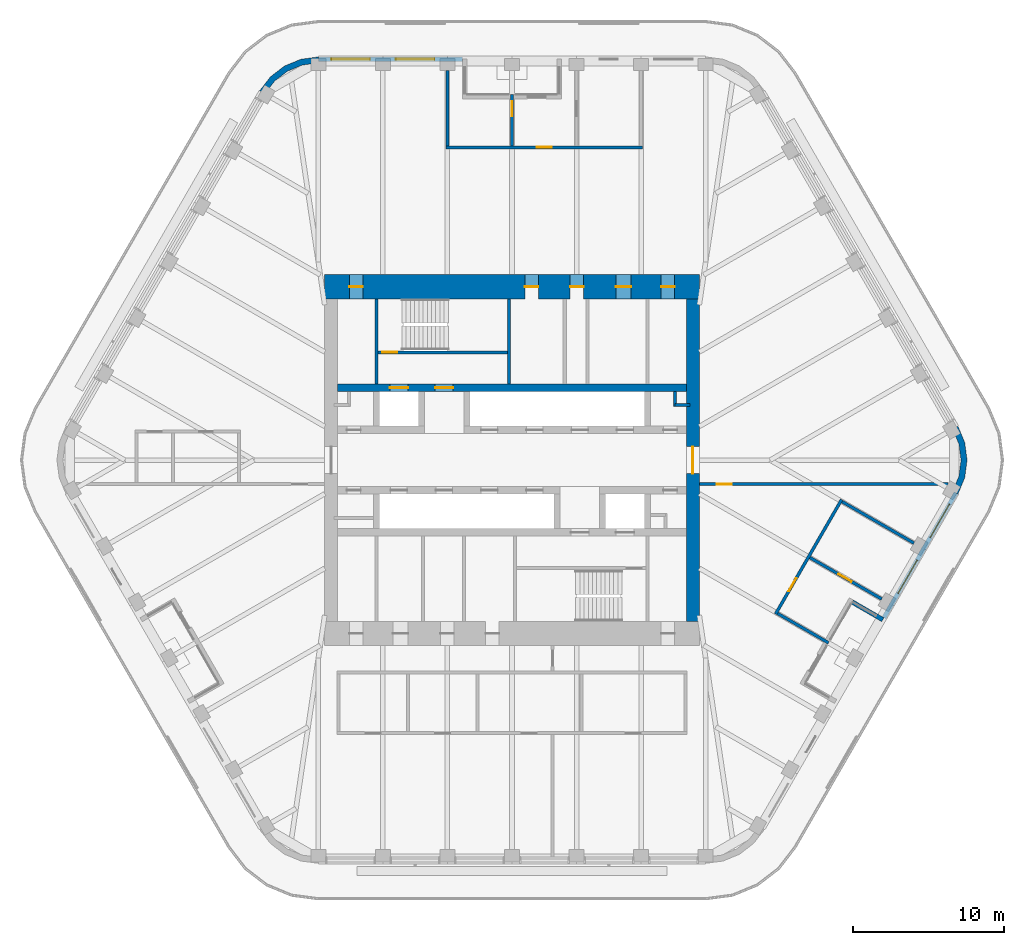
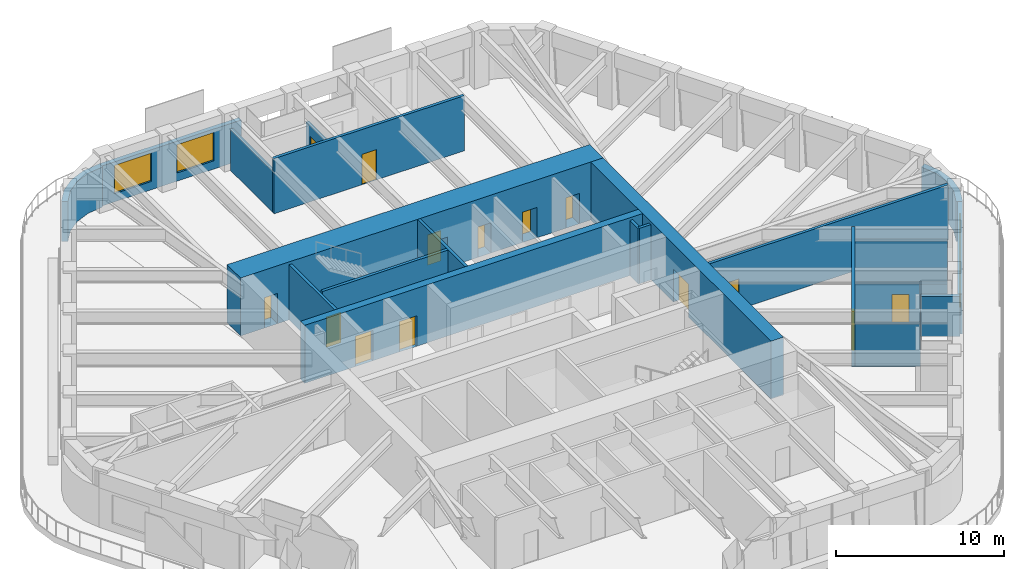
# One storey, part 15 of 19: 21 walls, 14 doors, 4 windows, 18 openings.
"""IFC4 building model written with IfcOpenShell, lengths in metres."""

from ifc_helpers import new_model, si_unit, direction, frame, frame_2d, origin, place, context, subcontext, project, spatial, polyline, rectangle, outline, extrude, material, layer, layer_set, type_object, element, fill, save


model = new_model("IFC4")

# Units and contexts
model_context = context("Model", 3, precision=1e-05, world=origin(), true_north=direction((0.0, 1.0)))
body_context = subcontext(model_context, "Body", "Model", "MODEL_VIEW")
ifc_project = project(units=[si_unit("LENGTHUNIT", "METRE"), si_unit("AREAUNIT", "SQUARE_METRE"), si_unit("VOLUMEUNIT", "CUBIC_METRE"), si_unit("PLANEANGLEUNIT", "RADIAN"), si_unit("MASSUNIT", "GRAM", prefix="KILO")], contexts=[model_context])

# Site, building, storey
site_placement = place(None, origin())
site = spatial("IfcSite", under=ifc_project, at=site_placement, CompositionType="ELEMENT")
building_placement = place(site_placement, origin())
building = spatial("IfcBuilding", under=site, at=building_placement, Name="Tarfa Lantern Tower", CompositionType="ELEMENT")
storey_placement = place(building_placement, frame((0.0, 0.0, 336.699951171875)))
storey = spatial("IfcBuildingStorey", under=building, at=storey_placement, Name="L76", CompositionType="ELEMENT", Elevation=336.699951171875)

# Wall, openings, windows
ifc_material_1 = material(Name="Limestone cladding on blockwork", Category="masonry")
ifc_layer_1 = layer(ifc_material_1, 0.300048828125)
ifc_layer_set_1 = layer_set([ifc_layer_1], Name="EW1 STONE-CLAD WALL 300")
wall_type_1 = type_object("IfcWallType", Name="EW1 STONE-CLAD WALL 300", PredefinedType="SOLIDWALL", material=ifc_layer_set_1)
wall_1_placement = place(storey_placement, frame((-3.281982421875, 26.60009765625, 0.0), z_axis=(0.0, 0.0, 1.0), x_axis=(-1.0, 0.0, 0.0)))
wall_1 = element("IfcWall", 1, at=wall_1_placement, inside=storey, type_object=wall_type_1, Name="Stone wall NB", PredefinedType="SOLIDWALL", context=body_context, shape_type="SweptSolid", body=[
    extrude(rectangle(XDim=9.56396484375, YDim=0.300048828125, at=frame_2d((4.781982421875, 0.0))), origin(), (0.0, 0.0, 1.0), 2.900146484375),
])
opening_1_placement = place(wall_1_placement, frame((1.865966796875, 0.0, 0.60009765625)))
opening_1 = element("IfcOpeningElement", 2, at=opening_1_placement, cuts=wall_1, Name="Opening W17", PredefinedType="OPENING", context=body_context, shape_type="SweptSolid", body=[
    extrude(rectangle(XDim=2.550048828125, YDim=2.050048828125, at=frame_2d((1.27490234375, 1.02490234375))), frame((0.0, 0.159912109375, 0.0), z_axis=(0.0, -1.0, 0.0), x_axis=(1.0, 0.0, 0.0)), (0.0, 0.0, 1.0), 0.320068359375),
])
opening_2_placement = place(wall_1_placement, frame((6.14794921875, 0.0, 0.60009765625)))
opening_2 = element("IfcOpeningElement", 3, at=opening_2_placement, cuts=wall_1, Name="Opening W17", PredefinedType="OPENING", context=body_context, shape_type="SweptSolid", body=[
    extrude(rectangle(XDim=2.550048828125, YDim=2.050048828125, at=frame_2d((1.27490234375, 1.02490234375))), frame((0.0, 0.159912109375, 0.0), z_axis=(0.0, -1.0, 0.0), x_axis=(1.0, 0.0, 0.0)), (0.0, 0.0, 1.0), 0.320068359375),
])
ifc_material_2 = material(Name="Aluminium frame, double glazed", Category="aluminium")
window_type = type_object("IfcWindowType", Name="W17 FULL-HEIGHT GLAZING 2550x2050", PartitioningType="SINGLE_PANEL", PredefinedType="WINDOW", material=ifc_material_2)
window_1_placement = place(opening_1_placement, origin())
window_1 = element("IfcWindow", 4, at=window_1_placement, inside=storey, type_object=window_type, Name="Window NB 1", OverallHeight=2.050048828125, OverallWidth=2.550048828125, PartitioningType="SINGLE_PANEL", PredefinedType="WINDOW", context=body_context, shape_type="SweptSolid", body=[
    extrude(rectangle(XDim=2.550048828125, YDim=2.050048828125, at=frame_2d((1.27490234375, 1.02490234375))), frame((0.0, 0.030029296875, 0.0), z_axis=(0.0, -1.0, 0.0), x_axis=(1.0, 0.0, 0.0)), (0.0, 0.0, 1.0), 0.06005859375),
])
fill(opening_1, window_1)
window_2_placement = place(opening_2_placement, origin())
window_2 = element("IfcWindow", 5, at=window_2_placement, inside=storey, type_object=window_type, Name="Window NB 2", OverallHeight=2.050048828125, OverallWidth=2.550048828125, PartitioningType="SINGLE_PANEL", PredefinedType="WINDOW", context=body_context, shape_type="SweptSolid", body=[
    extrude(rectangle(XDim=2.550048828125, YDim=2.050048828125, at=frame_2d((1.27490234375, 1.02490234375))), frame((0.0, 0.030029296875, 0.0), z_axis=(0.0, -1.0, 0.0), x_axis=(1.0, 0.0, 0.0)), (0.0, 0.0, 1.0), 0.06005859375),
])
fill(opening_2, window_2)

wall_2_placement = place(storey_placement, frame((24.67724609375, -10.457763671875, 0.0), z_axis=(0.0, 0.0, 1.0), x_axis=(0.499996453679, 0.866027451244, 0.0)))
wall_2 = element("IfcWall", 6, at=wall_2_placement, inside=storey, type_object=wall_type_1, Name="Stone wall SEB", PredefinedType="SOLIDWALL", context=body_context, shape_type="SweptSolid", body=[
    extrude(rectangle(XDim=9.56396484375, YDim=0.300048828125, at=frame_2d((4.781982421875, 0.0))), origin(), (0.0, 0.0, 1.0), 2.900146484375),
])
opening_3_placement = place(wall_2_placement, frame((1.865966796875, 0.0, 0.60009765625)))
opening_3 = element("IfcOpeningElement", 7, at=opening_3_placement, cuts=wall_2, Name="Opening W17", PredefinedType="OPENING", context=body_context, shape_type="SweptSolid", body=[
    extrude(rectangle(XDim=2.550048828125, YDim=2.050048828125, at=frame_2d((1.27490234375, 1.02490234375))), frame((0.0, 0.159912109375, 0.0), z_axis=(0.0, -1.0, 0.0), x_axis=(1.0, 0.0, 0.0)), (0.0, 0.0, 1.0), 0.320068359375),
])
opening_4_placement = place(wall_2_placement, frame((6.14794921875, 0.0, 0.60009765625)))
opening_4 = element("IfcOpeningElement", 8, at=opening_4_placement, cuts=wall_2, Name="Opening W17", PredefinedType="OPENING", context=body_context, shape_type="SweptSolid", body=[
    extrude(rectangle(XDim=2.550048828125, YDim=2.050048828125, at=frame_2d((1.27490234375, 1.02490234375))), frame((0.0, 0.159912109375, 0.0), z_axis=(0.0, -1.0, 0.0), x_axis=(1.0, 0.0, 0.0)), (0.0, 0.0, 1.0), 0.320068359375),
])
window_3_placement = place(opening_3_placement, origin())
window_3 = element("IfcWindow", 9, at=window_3_placement, inside=storey, type_object=window_type, Name="Window SEB 1", OverallHeight=2.050048828125, OverallWidth=2.550048828125, PartitioningType="SINGLE_PANEL", PredefinedType="WINDOW", context=body_context, shape_type="SweptSolid", body=[
    extrude(rectangle(XDim=2.550048828125, YDim=2.050048828125, at=frame_2d((1.27490234375, 1.02490234375))), frame((0.0, 0.030029296875, 0.0), z_axis=(0.0, -1.0, 0.0), x_axis=(1.0, 0.0, 0.0)), (0.0, 0.0, 1.0), 0.06005859375),
])
fill(opening_3, window_3)
window_4_placement = place(opening_4_placement, origin())
window_4 = element("IfcWindow", 10, at=window_4_placement, inside=storey, type_object=window_type, Name="Window SEB 2", OverallHeight=2.050048828125, OverallWidth=2.550048828125, PartitioningType="SINGLE_PANEL", PredefinedType="WINDOW", context=body_context, shape_type="SweptSolid", body=[
    extrude(rectangle(XDim=2.550048828125, YDim=2.050048828125, at=frame_2d((1.27490234375, 1.02490234375))), frame((0.0, 0.030029296875, 0.0), z_axis=(0.0, -1.0, 0.0), x_axis=(1.0, 0.0, 0.0)), (0.0, 0.0, 1.0), 0.06005859375),
])
fill(opening_4, window_4)

# Walls
wall_3_placement = place(storey_placement, frame((24.602294921875, -10.587646484375, 0.0), z_axis=(0.0, 0.0, 1.0), x_axis=(-0.866016039709, 0.500016218704, 0.0)))
element("IfcWall", 11, at=wall_3_placement, inside=storey, type_object=wall_type_1, Name="Terrace return SE 2", PredefinedType="SOLIDWALL", context=body_context, shape_type="SweptSolid", body=[
    extrude(rectangle(XDim=2.35009765625, YDim=0.300048828125, at=frame_2d((1.175048828125, 0.0))), origin(), (0.0, 0.0, 1.0), 2.900146484375),
])
ifc_layer_2 = layer(ifc_material_1, 0.39990234375)
ifc_layer_set_2 = layer_set([ifc_layer_2], Name="EW2 CURVED STONE CORNER 400")
wall_type_2 = type_object("IfcWallType", Name="EW2 CURVED STONE CORNER 400", PredefinedType="SOLIDWALL", material=ifc_layer_set_2)
wall_4_placement = place(storey_placement, origin())
element("IfcWall", 12, at=wall_4_placement, inside=storey, type_object=wall_type_2, Name="Stone corner N-NW", PredefinedType="SOLIDWALL", context=body_context, shape_type="SweptSolid", body=[
    extrude(outline(polyline([(-12.845947265625, 26.75), (-14.0107421875, 26.5966796875), (-15.095947265625, 26.147216796875), (-16.028076171875, 25.431884765625), (-16.7431640625, 24.5), (-16.396728515625, 24.300048828125), (-15.7451171875, 25.149169921875), (-14.89599609375, 25.80078125), (-13.9072265625, 26.210205078125), (-12.845947265625, 26.35009765625), (-12.845947265625, 26.75)])), origin(), (0.0, 0.0, 1.0), 2.900146484375),
])
wall_5_placement = place(storey_placement, origin())
element("IfcWall", 13, at=wall_5_placement, inside=storey, type_object=wall_type_2, Name="Stone corner SE-NE", PredefinedType="SOLIDWALL", context=body_context, shape_type="SweptSolid", body=[
    extrude(outline(polyline([(29.589111328125, -2.25), (30.038818359375, -1.164794921875), (30.192138671875, 0.0), (30.038818359375, 1.164794921875), (29.589111328125, 2.25), (29.24267578125, 2.050048828125), (29.65234375, 1.061279296875), (29.7919921875, 0.0), (29.65234375, -1.061279296875), (29.24267578125, -2.050048828125), (29.589111328125, -2.25)])), origin(), (0.0, 0.0, 1.0), 2.900146484375),
])
ifc_material_3 = material(Name="Concrete blockwork", Category="masonry")
ifc_layer_3 = layer(ifc_material_3, 0.199951171875)
ifc_layer_set_3 = layer_set([ifc_layer_3], Name="IW1 BLOCKWORK PARTITION 200 EI 120")
wall_type_3 = type_object("IfcWallType", Name="IW1 BLOCKWORK PARTITION 200 EI 120", PredefinedType="PARTITIONING", material=ifc_layer_set_3)
wall_6_placement = place(storey_placement, frame((-9.0, 5.050048828125, 0.0), z_axis=(0.0, 0.0, 1.0), x_axis=(0.0, 1.0, 0.0)))
element("IfcWall", 14, at=wall_6_placement, inside=storey, type_object=wall_type_3, Name="Core partition", PredefinedType="PARTITIONING", context=body_context, shape_type="SweptSolid", body=[
    extrude(rectangle(XDim=5.64990234375, YDim=0.199951171875, at=frame_2d((2.824951171875, 0.0))), origin(), (0.0, 0.0, 1.0), 4.0),
])
for number, where, z_axis, x_axis, name in (
    (15, (10.800048828125, 3.64990234375, 0.0), (0.0, 0.0, 1.0), (1.0, 0.0, 0.0), "Core partition"),
    (16, (10.800048828125, 3.550048828125, 0.0), (0.0, 0.0, 1.0), (0.0, 1.0, 0.0), "Core partition"),
):
    element("IfcWall", number, at=place(storey_placement, frame(where, z_axis=z_axis, x_axis=x_axis)), inside=storey, type_object=wall_type_3, Name=name, PredefinedType="PARTITIONING", context=body_context, shape_type="SweptSolid", body=[
        extrude(rectangle(XDim=1.0, YDim=0.199951171875, at=frame_2d((0.5, 0.0))), origin(), (0.0, 0.0, 1.0), 4.0),
    ])

# Wall, opening, door
ifc_material_4 = material(Name="Gypsum board on steel studs", Category="steel")
ifc_layer_4 = layer(ifc_material_4, 0.2099609375)
ifc_layer_set_4 = layer_set([ifc_layer_4], Name="IW2 ACOUSTIC PARTITION 200")
wall_type_4 = type_object("IfcWallType", Name="IW2 ACOUSTIC PARTITION 200", PredefinedType="PARTITIONING", material=ifc_layer_set_4)
wall_7_placement = place(storey_placement, frame((8.6640625, 20.75, 0.0), z_axis=(0.0, 0.0, 1.0), x_axis=(-1.0, 0.0, 0.0)))
wall_7 = element("IfcWall", 17, at=wall_7_placement, inside=storey, type_object=wall_type_4, Name="Partition", PredefinedType="PARTITIONING", context=body_context, shape_type="SweptSolid", body=[
    extrude(rectangle(XDim=13.046142578125, YDim=0.199951171875, at=frame_2d((6.52294921875, 0.0))), origin(), (0.0, 0.0, 1.0), 4.0),
])
opening_5_placement = place(wall_7_placement, frame((6.02294921875, 0.0, 0.0)))
opening_5 = element("IfcOpeningElement", 18, at=opening_5_placement, cuts=wall_7, Name="Opening D22", PredefinedType="OPENING", context=body_context, shape_type="SweptSolid", body=[
    extrude(rectangle(XDim=1.0, YDim=2.199951171875, at=frame_2d((0.5, 1.10009765625))), frame((0.0, 0.10986328125, 0.0), z_axis=(0.0, -1.0, 0.0), x_axis=(1.0, 0.0, 0.0)), (0.0, 0.0, 1.0), 0.219970703125),
])
ifc_material_5 = material(Name="Timber door", Category="wood")
door_type_1 = type_object("IfcDoorType", Name="DR1 ROOM DOOR 1000x2200", OperationType="SINGLE_SWING_LEFT", PredefinedType="DOOR", material=ifc_material_5)
door_1_placement = place(opening_5_placement, frame((1.0, 0.0, 0.0), z_axis=(0.0, 0.0, 1.0), x_axis=(-1.0, 0.0, 0.0)))
door_1 = element("IfcDoor", 19, at=door_1_placement, inside=storey, type_object=door_type_1, Name="PA area door", OperationType="SINGLE_SWING_RIGHT", OverallHeight=2.199951171875, OverallWidth=1.0, PredefinedType="DOOR", context=body_context, shape_type="SweptSolid", body=[
    extrude(rectangle(XDim=1.0, YDim=2.199951171875, at=frame_2d((0.5, 1.10009765625))), frame((0.0, 0.02490234375, 0.0), z_axis=(0.0, -1.0, 0.0), x_axis=(1.0, 0.0, 0.0)), (0.0, 0.0, 1.0), 0.050048828125),
])
fill(opening_5, door_1)

wall_8_placement = place(storey_placement, frame((0.0, 20.85009765625, 0.0), z_axis=(0.0, 0.0, 1.0), x_axis=(0.0, 1.0, 0.0)))
wall_8 = element("IfcWall", 20, at=wall_8_placement, inside=storey, type_object=wall_type_4, Name="Partition", PredefinedType="PARTITIONING", context=body_context, shape_type="SweptSolid", body=[
    extrude(rectangle(XDim=3.40087890625, YDim=0.199951171875, at=frame_2d((1.700439453125, 0.0))), origin(), (0.0, 0.0, 1.0), 2.991943359375),
])
opening_6_placement = place(wall_8_placement, frame((1.949951171875, 0.0, 0.0)))
opening_6 = element("IfcOpeningElement", 21, at=opening_6_placement, cuts=wall_8, Name="Opening D23", PredefinedType="OPENING", context=body_context, shape_type="SweptSolid", body=[
    extrude(rectangle(XDim=1.0, YDim=2.199951171875, at=frame_2d((0.5, 1.10009765625))), frame((0.0, 0.10986328125, 0.0), z_axis=(0.0, -1.0, 0.0), x_axis=(1.0, 0.0, 0.0)), (0.0, 0.0, 1.0), 0.219970703125),
])
door_2_placement = place(opening_6_placement, origin())
door_2 = element("IfcDoor", 22, at=door_2_placement, inside=storey, type_object=door_type_1, Name="File room door", OperationType="SINGLE_SWING_LEFT", OverallHeight=2.199951171875, OverallWidth=1.0, PredefinedType="DOOR", context=body_context, shape_type="SweptSolid", body=[
    extrude(rectangle(XDim=1.0, YDim=2.199951171875, at=frame_2d((0.5, 1.10009765625))), frame((0.0, 0.02490234375, 0.0), z_axis=(0.0, -1.0, 0.0), x_axis=(1.0, 0.0, 0.0)), (0.0, 0.0, 1.0), 0.050048828125),
])
fill(opening_6, door_2)

# Wall
wall_9_placement = place(storey_placement, frame((-4.281982421875, 20.85009765625, 0.0), z_axis=(0.0, 0.0, 1.0), x_axis=(0.0, 1.0, 0.0)))
element("IfcWall", 23, at=wall_9_placement, inside=storey, type_object=wall_type_4, Name="Partition", PredefinedType="PARTITIONING", context=body_context, shape_type="SweptSolid", body=[
    extrude(rectangle(XDim=5.0, YDim=0.199951171875, at=frame_2d((2.5, 0.0))), origin(), (0.0, 0.0, 1.0), 2.991943359375),
])

# Wall, opening, door
wall_10_placement = place(storey_placement, frame((17.487060546875, -10.211669921875, 0.0), z_axis=(0.0, 0.0, 1.0), x_axis=(0.500006995557, 0.86602136486, 0.0)))
wall_10 = element("IfcWall", 24, at=wall_10_placement, inside=storey, type_object=wall_type_4, Name="Partition", PredefinedType="PARTITIONING", context=body_context, shape_type="SweptSolid", body=[
    extrude(rectangle(XDim=8.763916015625, YDim=0.199951171875, at=frame_2d((4.3818359375, 0.0))), origin(), (0.0, 0.0, 1.0), 4.0),
])
opening_7_placement = place(wall_10_placement, frame((1.740966796875, 0.0, 0.0)))
opening_7 = element("IfcOpeningElement", 25, at=opening_7_placement, cuts=wall_10, Name="Opening D24", PredefinedType="OPENING", context=body_context, shape_type="SweptSolid", body=[
    extrude(rectangle(XDim=1.0, YDim=2.199951171875, at=frame_2d((0.5, 1.10009765625))), frame((0.0, 0.10986328125, 0.0), z_axis=(0.0, -1.0, 0.0), x_axis=(1.0, 0.0, 0.0)), (0.0, 0.0, 1.0), 0.219970703125),
])
door_3_placement = place(opening_7_placement, frame((1.0, 0.0, 0.0), z_axis=(0.0, 0.0, 1.0), x_axis=(-1.0, 0.0, 0.0)))
door_3 = element("IfcDoor", 26, at=door_3_placement, inside=storey, type_object=door_type_1, Name="PA area door", OperationType="SINGLE_SWING_LEFT", OverallHeight=2.199951171875, OverallWidth=1.0, PredefinedType="DOOR", context=body_context, shape_type="SweptSolid", body=[
    extrude(rectangle(XDim=1.0, YDim=2.199951171875, at=frame_2d((0.5, 1.10009765625))), frame((0.0, 0.02490234375, 0.0), z_axis=(0.0, -1.0, 0.0), x_axis=(1.0, 0.0, 0.0)), (0.0, 0.0, 1.0), 0.050048828125),
])
fill(opening_7, door_3)

# Wall
wall_11_placement = place(storey_placement, frame((17.62353515625, -10.175048828125, 0.0), z_axis=(0.0, 0.0, 1.0), x_axis=(0.86603551244, -0.499982490886, 0.0)))
element("IfcWall", 27, at=wall_11_placement, inside=storey, type_object=wall_type_4, Name="Partition", PredefinedType="PARTITIONING", context=body_context, shape_type="SweptSolid", body=[
    extrude(rectangle(XDim=3.901123046875, YDim=0.199951171875, at=frame_2d((1.95068359375, 0.0))), origin(), (0.0, 0.0, 1.0), 3.08154296875),
])

# Wall, opening, door
wall_12_placement = place(storey_placement, frame((19.7646484375, -6.466552734375, 0.0), z_axis=(0.0, 0.0, 1.0), x_axis=(0.866027397988, -0.499996545922, 0.0)))
wall_12 = element("IfcWall", 28, at=wall_12_placement, inside=storey, type_object=wall_type_4, Name="Partition", PredefinedType="PARTITIONING", context=body_context, shape_type="SweptSolid", body=[
    extrude(rectangle(XDim=5.5, YDim=0.199951171875, at=frame_2d((2.75, 0.0))), origin(), (0.0, 0.0, 1.0), 2.991943359375),
])
opening_8_placement = place(wall_12_placement, frame((2.199951171875, 0.0, 0.0)))
opening_8 = element("IfcOpeningElement", 29, at=opening_8_placement, cuts=wall_12, Name="Opening D25", PredefinedType="OPENING", context=body_context, shape_type="SweptSolid", body=[
    extrude(rectangle(XDim=1.0, YDim=2.199951171875, at=frame_2d((0.5, 1.10009765625))), frame((0.0, 0.10986328125, 0.0), z_axis=(0.0, -1.0, 0.0), x_axis=(1.0, 0.0, 0.0)), (0.0, 0.0, 1.0), 0.219970703125),
])
door_4_placement = place(opening_8_placement, frame((1.0, 0.0, 0.0), z_axis=(0.0, 0.0, 1.0), x_axis=(-1.0, 0.0, 0.0)))
door_4 = element("IfcDoor", 30, at=door_4_placement, inside=storey, type_object=door_type_1, Name="Executive office door", OperationType="SINGLE_SWING_LEFT", OverallHeight=2.199951171875, OverallWidth=1.0, PredefinedType="DOOR", context=body_context, shape_type="SweptSolid", body=[
    extrude(rectangle(XDim=1.0, YDim=2.199951171875, at=frame_2d((0.5, 1.10009765625))), frame((0.0, 0.02490234375, 0.0), z_axis=(0.0, -1.0, 0.0), x_axis=(1.0, 0.0, 0.0)), (0.0, 0.0, 1.0), 0.050048828125),
])
fill(opening_8, door_4)

# Wall
wall_13_placement = place(storey_placement, frame((21.905517578125, -2.75830078125, 0.0), z_axis=(0.0, 0.0, 1.0), x_axis=(0.866027397988, -0.499996545922, 0.0)))
element("IfcWall", 31, at=wall_13_placement, inside=storey, type_object=wall_type_4, Name="Partition", PredefinedType="PARTITIONING", context=body_context, shape_type="SweptSolid", body=[
    extrude(rectangle(XDim=5.5, YDim=0.199951171875, at=frame_2d((2.75, 0.0))), origin(), (0.0, 0.0, 1.0), 3.08154296875),
])

# Wall, opening, door
wall_14_placement = place(storey_placement, frame((12.425048828125, -1.60009765625, 0.0), z_axis=(0.0, 0.0, 1.0), x_axis=(1.0, 0.0, 0.0)))
wall_14 = element("IfcWall", 32, at=wall_14_placement, inside=storey, type_object=wall_type_4, Name="Partition", PredefinedType="PARTITIONING", context=body_context, shape_type="SweptSolid", body=[
    extrude(rectangle(XDim=16.500244140625, YDim=0.199951171875, at=frame_2d((8.25, 0.0))), origin(), (0.0, 0.0, 1.0), 4.0),
])
opening_9_placement = place(wall_14_placement, frame((1.150146484375, 0.0, 0.0)))
opening_9 = element("IfcOpeningElement", 33, at=opening_9_placement, cuts=wall_14, Name="Opening D32", PredefinedType="OPENING", context=body_context, shape_type="SweptSolid", body=[
    extrude(rectangle(XDim=1.0, YDim=2.199951171875, at=frame_2d((0.5, 1.10009765625))), frame((0.0, 0.10986328125, 0.0), z_axis=(0.0, -1.0, 0.0), x_axis=(1.0, 0.0, 0.0)), (0.0, 0.0, 1.0), 0.219970703125),
])
door_5_placement = place(opening_9_placement, frame((1.0, 0.0, 0.0), z_axis=(0.0, 0.0, 1.0), x_axis=(-1.0, 0.0, 0.0)))
door_5 = element("IfcDoor", 34, at=door_5_placement, inside=storey, type_object=door_type_1, Name="Zone door", OperationType="SINGLE_SWING_LEFT", OverallHeight=2.199951171875, OverallWidth=1.0, PredefinedType="DOOR", context=body_context, shape_type="SweptSolid", body=[
    extrude(rectangle(XDim=1.0, YDim=2.199951171875, at=frame_2d((0.5, 1.10009765625))), frame((0.0, 0.02490234375, 0.0), z_axis=(0.0, -1.0, 0.0), x_axis=(1.0, 0.0, 0.0)), (0.0, 0.0, 1.0), 0.050048828125),
])
fill(opening_9, door_5)

# Wall
ifc_material_6 = material(Name="Concrete C80/95", Category="concrete")
ifc_layer_5 = layer(ifc_material_6, 0.199951171875)
ifc_layer_set_5 = layer_set([ifc_layer_5], Name="SW12 CORE WALL 200")
wall_type_5 = type_object("IfcWallType", Name="SW12 CORE WALL 200", PredefinedType="SHEAR", material=ifc_layer_set_5)
wall_15_placement = place(storey_placement, frame((-0.199951171875, 5.050048828125, 0.0), z_axis=(0.0, 0.0, 1.0), x_axis=(0.0, 1.0, 0.0)))
element("IfcWall", 35, at=wall_15_placement, inside=storey, type_object=wall_type_5, Name="Core wall stair shaft N", PredefinedType="SHEAR", context=body_context, shape_type="SweptSolid", body=[
    extrude(rectangle(XDim=5.64990234375, YDim=0.199951171875, at=frame_2d((2.824951171875, 0.0))), origin(), (0.0, 0.0, 1.0), 4.199951171875),
])

# Wall, opening, door
wall_16_placement = place(storey_placement, frame((-8.89990234375, 7.14990234375, 0.0), z_axis=(0.0, 0.0, 1.0), x_axis=(1.0, 0.0, 0.0)))
wall_16 = element("IfcWall", 36, at=wall_16_placement, inside=storey, type_object=wall_type_5, Name="Core wall stair partition N", PredefinedType="SHEAR", context=body_context, shape_type="SweptSolid", body=[
    extrude(rectangle(XDim=8.599853515625, YDim=0.199951171875, at=frame_2d((4.2998046875, 0.0))), origin(), (0.0, 0.0, 1.0), 4.199951171875),
])
opening_10_placement = place(wall_16_placement, frame((0.300048828125, 0.0, 0.0)))
opening_10 = element("IfcOpeningElement", 37, at=opening_10_placement, cuts=wall_16, Name="Opening D19", PredefinedType="OPENING", context=body_context, shape_type="SweptSolid", body=[
    extrude(rectangle(XDim=1.0, YDim=2.199951171875, at=frame_2d((0.5, 1.10009765625))), frame((0.0, 0.10986328125, 0.0), z_axis=(0.0, -1.0, 0.0), x_axis=(1.0, 0.0, 0.0)), (0.0, 0.0, 1.0), 0.219970703125),
])
ifc_material_7 = material(Name="Steel fire door", Category="steel")
door_type_2 = type_object("IfcDoorType", Name="DF2 STAIR DOOR 1000x2200", OperationType="SINGLE_SWING_LEFT", PredefinedType="DOOR", material=ifc_material_7)
door_6_placement = place(opening_10_placement, origin())
door_6 = element("IfcDoor", 38, at=door_6_placement, inside=storey, type_object=door_type_2, Name="Stair door", OperationType="SINGLE_SWING_RIGHT", OverallHeight=2.199951171875, OverallWidth=1.0, PredefinedType="DOOR", context=body_context, shape_type="SweptSolid", body=[
    extrude(rectangle(XDim=1.0, YDim=2.199951171875, at=frame_2d((0.5, 1.10009765625))), frame((0.0, 0.02490234375, 0.0), z_axis=(0.0, -1.0, 0.0), x_axis=(1.0, 0.0, 0.0)), (0.0, 0.0, 1.0), 0.050048828125),
])
fill(opening_10, door_6)

ifc_layer_6 = layer(ifc_material_6, 0.85009765625)
ifc_layer_set_6 = layer_set([ifc_layer_6], Name="SW3 CORE WALL 850")
wall_type_6 = type_object("IfcWallType", Name="SW3 CORE WALL 850", PredefinedType="SHEAR", material=ifc_layer_set_6)
wall_17_placement = place(storey_placement, frame((12.0, -10.699951171875, 0.0), z_axis=(0.0, 0.0, 1.0), x_axis=(0.0, 1.0, 0.0)))
wall_17 = element("IfcWall", 39, at=wall_17_placement, inside=storey, type_object=wall_type_6, Name="Core wall E", PredefinedType="SHEAR", context=body_context, shape_type="SweptSolid", body=[
    extrude(rectangle(XDim=21.39990234375, YDim=0.85009765625, at=frame_2d((10.699951171875, 0.0))), origin(), (0.0, 0.0, 1.0), 4.199951171875),
])
opening_11_placement = place(wall_17_placement, frame((9.800048828125, 0.0, 0.0)))
opening_11 = element("IfcOpeningElement", 40, at=opening_11_placement, cuts=wall_17, Name="Opening D07", PredefinedType="OPENING", context=body_context, shape_type="SweptSolid", body=[
    extrude(rectangle(XDim=1.800048828125, YDim=2.39990234375, at=frame_2d((0.89990234375, 1.199951171875))), frame((0.0, 0.43505859375, 0.0), z_axis=(0.0, -1.0, 0.0), x_axis=(1.0, 0.0, 0.0)), (0.0, 0.0, 1.0), 0.8701171875),
])
door_type_3 = type_object("IfcDoorType", Name="DL1 LOBBY DOOR 1800x2400", OperationType="DOUBLE_DOOR_SINGLE_SWING", PredefinedType="DOOR", material=ifc_material_7)
door_7_placement = place(opening_11_placement, frame((1.800048828125, 0.0, 0.0), z_axis=(0.0, 0.0, 1.0), x_axis=(-1.0, 0.0, 0.0)))
door_7 = element("IfcDoor", 41, at=door_7_placement, inside=storey, type_object=door_type_3, Name="Lift lobby door", OperationType="DOUBLE_DOOR_SINGLE_SWING", OverallHeight=2.39990234375, OverallWidth=1.800048828125, PredefinedType="DOOR", context=body_context, shape_type="SweptSolid", body=[
    extrude(rectangle(XDim=1.800048828125, YDim=2.39990234375, at=frame_2d((0.89990234375, 1.199951171875))), frame((0.0, 0.02490234375, 0.0), z_axis=(0.0, -1.0, 0.0), x_axis=(1.0, 0.0, 0.0)), (0.0, 0.0, 1.0), 0.050048828125),
])
fill(opening_11, door_7)

# Wall, openings, doors
ifc_layer_7 = layer(ifc_material_6, 0.5)
ifc_layer_set_7 = layer_set([ifc_layer_7], Name="SW5 CORE WALL 500")
wall_type_7 = type_object("IfcWallType", Name="SW5 CORE WALL 500", PredefinedType="SHEAR", material=ifc_layer_set_7)
wall_18_placement = place(storey_placement, frame((-11.574951171875, 4.800048828125, 0.0), z_axis=(0.0, 0.0, 1.0), x_axis=(1.0, 0.0, 0.0)))
wall_18 = element("IfcWall", 42, at=wall_18_placement, inside=storey, type_object=wall_type_7, Name="Core wall rear N", PredefinedType="SHEAR", context=body_context, shape_type="SweptSolid", body=[
    extrude(rectangle(XDim=23.14990234375, YDim=0.5, at=frame_2d((11.574951171875, 0.0))), origin(), (0.0, 0.0, 1.0), 4.199951171875),
])
opening_12_placement = place(wall_18_placement, frame((6.47509765625, 0.0, 0.0)))
opening_12 = element("IfcOpeningElement", 43, at=opening_12_placement, cuts=wall_18, Name="Opening D05", PredefinedType="OPENING", context=body_context, shape_type="SweptSolid", body=[
    extrude(rectangle(XDim=1.199951171875, YDim=2.199951171875, at=frame_2d((0.60009765625, 1.10009765625))), frame((0.0, 0.260009765625, 0.0), z_axis=(0.0, -1.0, 0.0), x_axis=(1.0, 0.0, 0.0)), (0.0, 0.0, 1.0), 0.52001953125),
])
opening_13_placement = place(wall_18_placement, frame((3.47509765625, 0.0, 0.0)))
opening_13 = element("IfcOpeningElement", 44, at=opening_13_placement, cuts=wall_18, Name="Opening LD01", PredefinedType="OPENING", context=body_context, shape_type="SweptSolid", body=[
    extrude(rectangle(XDim=1.199951171875, YDim=2.199951171875, at=frame_2d((0.60009765625, 1.10009765625))), frame((0.0, 0.260009765625, 0.0), z_axis=(0.0, -1.0, 0.0), x_axis=(1.0, 0.0, 0.0)), (0.0, 0.0, 1.0), 0.52001953125),
])
door_type_4 = type_object("IfcDoorType", Name="DF1 FIREFIGHTING LOBBY DOOR 1200x2200", OperationType="SINGLE_SWING_LEFT", PredefinedType="DOOR", material=ifc_material_7)
door_8_placement = place(opening_12_placement, origin())
door_8 = element("IfcDoor", 45, at=door_8_placement, inside=storey, type_object=door_type_4, Name="Firefighting lobby door", OperationType="SINGLE_SWING_LEFT", OverallHeight=2.199951171875, OverallWidth=1.199951171875, PredefinedType="DOOR", context=body_context, shape_type="SweptSolid", body=[
    extrude(rectangle(XDim=1.199951171875, YDim=2.199951171875, at=frame_2d((0.60009765625, 1.10009765625))), frame((0.0, 0.02490234375, 0.0), z_axis=(0.0, -1.0, 0.0), x_axis=(1.0, 0.0, 0.0)), (0.0, 0.0, 1.0), 0.050048828125),
])
fill(opening_12, door_8)
ifc_material_8 = material(Name="Stainless steel lift door", Category="steel")
door_type_5 = type_object("IfcDoorType", Name="LD1 LIFT LANDING DOOR 1200x2200", OperationType="SLIDING_TO_LEFT", PredefinedType="DOOR", material=ifc_material_8)
door_9_placement = place(opening_13_placement, origin())
door_9 = element("IfcDoor", 46, at=door_9_placement, inside=storey, type_object=door_type_5, Name="Landing door FL1", OperationType="SLIDING_TO_LEFT", OverallHeight=2.199951171875, OverallWidth=1.199951171875, PredefinedType="DOOR", context=body_context, shape_type="SweptSolid", body=[
    extrude(rectangle(XDim=1.199951171875, YDim=2.199951171875, at=frame_2d((0.60009765625, 1.10009765625))), frame((0.0, 0.02490234375, 0.0), z_axis=(0.0, -1.0, 0.0), x_axis=(1.0, 0.0, 0.0)), (0.0, 0.0, 1.0), 0.050048828125),
])
fill(opening_13, door_9)

ifc_layer_8 = layer(ifc_material_6, 1.60009765625)
ifc_layer_set_8 = layer_set([ifc_layer_8], Name="SW7 CORE WALL 1600")
wall_type_8 = type_object("IfcWallType", Name="SW7 CORE WALL 1600", PredefinedType="SHEAR", material=ifc_layer_set_8)
wall_19_placement = place(storey_placement, frame((-12.425048828125, 11.5, 0.0), z_axis=(0.0, 0.0, 1.0), x_axis=(1.0, 0.0, 0.0)))
wall_19 = element("IfcWall", 47, at=wall_19_placement, inside=storey, type_object=wall_type_8, Name="Core wall N", PredefinedType="SHEAR", context=body_context, shape_type="SweptSolid", body=[
    extrude(rectangle(XDim=24.85009765625, YDim=1.60009765625, at=frame_2d((12.425048828125, 0.0))), origin(), (0.0, 0.0, 1.0), 4.199951171875),
])
opening_14_placement = place(wall_19_placement, frame((13.27490234375, 0.0, 0.0)))
opening_14 = element("IfcOpeningElement", 48, at=opening_14_placement, cuts=wall_19, Name="Opening D13", PredefinedType="OPENING", context=body_context, shape_type="SweptSolid", body=[
    extrude(rectangle(XDim=0.89990234375, YDim=2.199951171875, at=frame_2d((0.449951171875, 1.10009765625))), frame((0.0, 0.81005859375, 0.0), z_axis=(0.0, -1.0, 0.0), x_axis=(1.0, 0.0, 0.0)), (0.0, 0.0, 1.0), 1.6201171875),
])
opening_15_placement = place(wall_19_placement, frame((16.27490234375, 0.0, 0.0)))
opening_15 = element("IfcOpeningElement", 49, at=opening_15_placement, cuts=wall_19, Name="Opening D15", PredefinedType="OPENING", context=body_context, shape_type="SweptSolid", body=[
    extrude(rectangle(XDim=0.89990234375, YDim=2.199951171875, at=frame_2d((0.449951171875, 1.10009765625))), frame((0.0, 0.81005859375, 0.0), z_axis=(0.0, -1.0, 0.0), x_axis=(1.0, 0.0, 0.0)), (0.0, 0.0, 1.0), 1.6201171875),
])
opening_16_placement = place(wall_19_placement, frame((19.324951171875, 0.0, 0.0)))
opening_16 = element("IfcOpeningElement", 50, at=opening_16_placement, cuts=wall_19, Name="Opening D17", PredefinedType="OPENING", context=body_context, shape_type="SweptSolid", body=[
    extrude(rectangle(XDim=1.0, YDim=2.199951171875, at=frame_2d((0.5, 1.10009765625))), frame((0.0, 0.81005859375, 0.0), z_axis=(0.0, -1.0, 0.0), x_axis=(1.0, 0.0, 0.0)), (0.0, 0.0, 1.0), 1.6201171875),
])
opening_17_placement = place(wall_19_placement, frame((1.637451171875, 0.0, 0.0)))
opening_17 = element("IfcOpeningElement", 51, at=opening_17_placement, cuts=wall_19, Name="Opening D03", PredefinedType="OPENING", context=body_context, shape_type="SweptSolid", body=[
    extrude(rectangle(XDim=0.89990234375, YDim=2.199951171875, at=frame_2d((0.449951171875, 1.10009765625))), frame((0.0, 0.81005859375, 0.0), z_axis=(0.0, -1.0, 0.0), x_axis=(1.0, 0.0, 0.0)), (0.0, 0.0, 1.0), 1.6201171875),
])
opening_18_placement = place(wall_19_placement, frame((22.3125, 0.0, 0.0)))
opening_18 = element("IfcOpeningElement", 52, at=opening_18_placement, cuts=wall_19, Name="Opening D01", PredefinedType="OPENING", context=body_context, shape_type="SweptSolid", body=[
    extrude(rectangle(XDim=0.89990234375, YDim=2.199951171875, at=frame_2d((0.449951171875, 1.10009765625))), frame((0.0, 0.81005859375, 0.0), z_axis=(0.0, -1.0, 0.0), x_axis=(1.0, 0.0, 0.0)), (0.0, 0.0, 1.0), 1.6201171875),
])
door_type_6 = type_object("IfcDoorType", Name="DF3 CORE ROOM DOOR 900x2200", OperationType="SINGLE_SWING_LEFT", PredefinedType="DOOR", material=ifc_material_7)
door_10_placement = place(opening_14_placement, frame((0.89990234375, 0.0, 0.0), z_axis=(0.0, 0.0, 1.0), x_axis=(-1.0, 0.0, 0.0)))
door_10 = element("IfcDoor", 53, at=door_10_placement, inside=storey, type_object=door_type_6, Name="Core door", OperationType="SINGLE_SWING_LEFT", OverallHeight=2.199951171875, OverallWidth=0.89990234375, PredefinedType="DOOR", context=body_context, shape_type="SweptSolid", body=[
    extrude(rectangle(XDim=0.89990234375, YDim=2.199951171875, at=frame_2d((0.449951171875, 1.10009765625))), frame((0.0, 0.02490234375, 0.0), z_axis=(0.0, -1.0, 0.0), x_axis=(1.0, 0.0, 0.0)), (0.0, 0.0, 1.0), 0.050048828125),
])
fill(opening_14, door_10)
door_11_placement = place(opening_15_placement, frame((0.89990234375, 0.0, 0.0), z_axis=(0.0, 0.0, 1.0), x_axis=(-1.0, 0.0, 0.0)))
door_11 = element("IfcDoor", 54, at=door_11_placement, inside=storey, type_object=door_type_6, Name="Core door", OperationType="SINGLE_SWING_RIGHT", OverallHeight=2.199951171875, OverallWidth=0.89990234375, PredefinedType="DOOR", context=body_context, shape_type="SweptSolid", body=[
    extrude(rectangle(XDim=0.89990234375, YDim=2.199951171875, at=frame_2d((0.449951171875, 1.10009765625))), frame((0.0, 0.02490234375, 0.0), z_axis=(0.0, -1.0, 0.0), x_axis=(1.0, 0.0, 0.0)), (0.0, 0.0, 1.0), 0.050048828125),
])
fill(opening_15, door_11)
door_type_7 = type_object("IfcDoorType", Name="DF4 CORE ROOM DOOR 1000x2200", OperationType="SINGLE_SWING_LEFT", PredefinedType="DOOR", material=ifc_material_7)
door_12_placement = place(opening_16_placement, frame((1.0, 0.0, 0.0), z_axis=(0.0, 0.0, 1.0), x_axis=(-1.0, 0.0, 0.0)))
door_12 = element("IfcDoor", 55, at=door_12_placement, inside=storey, type_object=door_type_7, Name="Core door", OperationType="SINGLE_SWING_RIGHT", OverallHeight=2.199951171875, OverallWidth=1.0, PredefinedType="DOOR", context=body_context, shape_type="SweptSolid", body=[
    extrude(rectangle(XDim=1.0, YDim=2.199951171875, at=frame_2d((0.5, 1.10009765625))), frame((0.0, 0.02490234375, 0.0), z_axis=(0.0, -1.0, 0.0), x_axis=(1.0, 0.0, 0.0)), (0.0, 0.0, 1.0), 0.050048828125),
])
fill(opening_16, door_12)
door_type_8 = type_object("IfcDoorType", Name="DF5 RISER DOOR 900x2200", OperationType="SINGLE_SWING_LEFT", PredefinedType="DOOR", material=ifc_material_7)
door_13_placement = place(opening_17_placement, frame((0.89990234375, 0.0, 0.0), z_axis=(0.0, 0.0, 1.0), x_axis=(-1.0, 0.0, 0.0)))
door_13 = element("IfcDoor", 56, at=door_13_placement, inside=storey, type_object=door_type_8, Name="Riser door", OperationType="SINGLE_SWING_LEFT", OverallHeight=2.199951171875, OverallWidth=0.89990234375, PredefinedType="DOOR", context=body_context, shape_type="SweptSolid", body=[
    extrude(rectangle(XDim=0.89990234375, YDim=2.199951171875, at=frame_2d((0.449951171875, 1.10009765625))), frame((0.0, 0.02490234375, 0.0), z_axis=(0.0, -1.0, 0.0), x_axis=(1.0, 0.0, 0.0)), (0.0, 0.0, 1.0), 0.050048828125),
])
fill(opening_17, door_13)
door_14_placement = place(opening_18_placement, frame((0.89990234375, 0.0, 0.0), z_axis=(0.0, 0.0, 1.0), x_axis=(-1.0, 0.0, 0.0)))
door_14 = element("IfcDoor", 57, at=door_14_placement, inside=storey, type_object=door_type_8, Name="Riser door", OperationType="SINGLE_SWING_RIGHT", OverallHeight=2.199951171875, OverallWidth=0.89990234375, PredefinedType="DOOR", context=body_context, shape_type="SweptSolid", body=[
    extrude(rectangle(XDim=0.89990234375, YDim=2.199951171875, at=frame_2d((0.449951171875, 1.10009765625))), frame((0.0, 0.02490234375, 0.0), z_axis=(0.0, -1.0, 0.0), x_axis=(1.0, 0.0, 0.0)), (0.0, 0.0, 1.0), 0.050048828125),
])
fill(opening_18, door_14)

save(model, "model.ifc")
